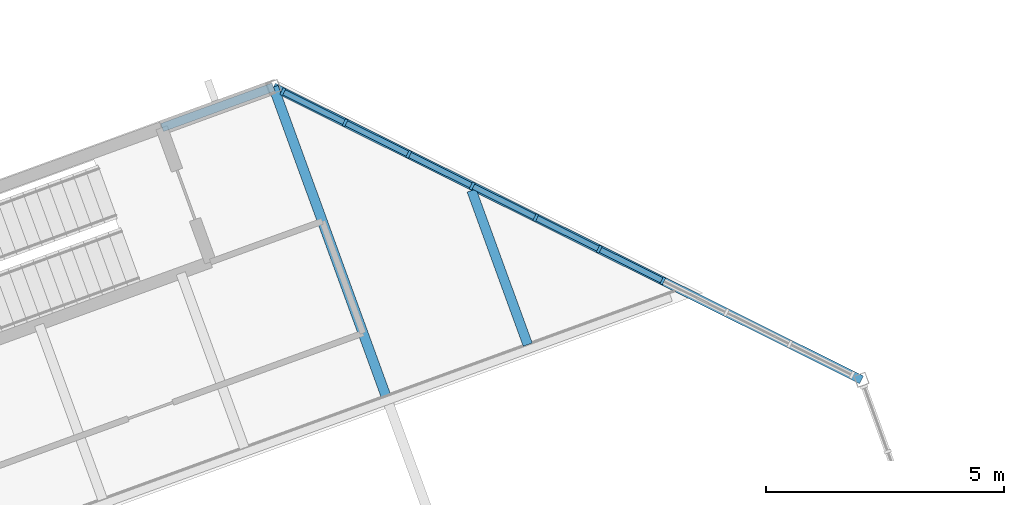
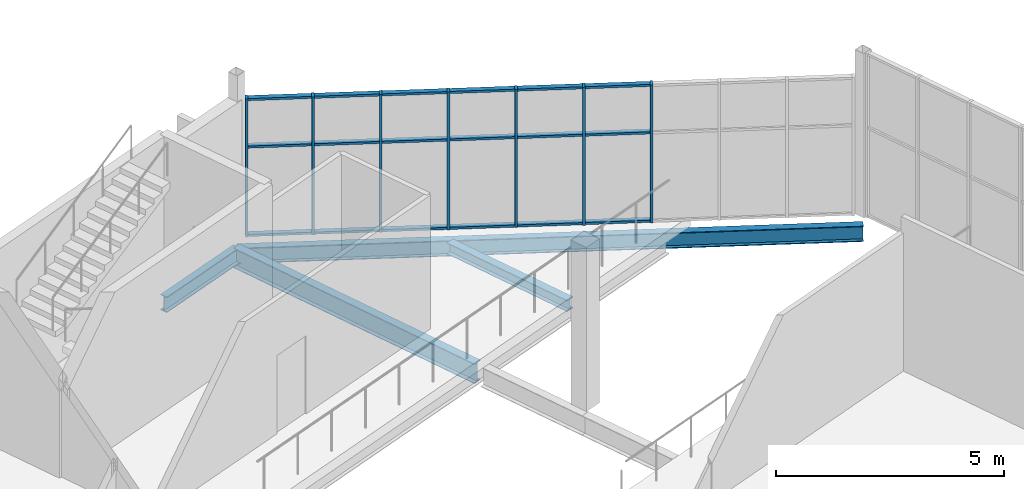
# One storey, part 33 of 115: 25 members, 4 beams, 1 element without a shape of its own.
"""IFC4 building model written with IfcOpenShell, lengths in metres."""

from ifc_helpers import new_model, si_unit, direction, frame, origin, origin_2d, place, context, subcontext, project, spatial, rectangle, i_section, extrude, material, layer, layer_set, material_profile, profile_set, type_object, element, aggregate, save


model = new_model("IFC4")

# Units and contexts
model_context = context("Model", 3, precision=1e-05, world=origin(), true_north=direction((0.0, 1.0)))
body_context = subcontext(model_context, "Body", "Model", "MODEL_VIEW")
ifc_project = project(units=[si_unit("LENGTHUNIT", "METRE"), si_unit("AREAUNIT", "SQUARE_METRE"), si_unit("VOLUMEUNIT", "CUBIC_METRE"), si_unit("PLANEANGLEUNIT", "RADIAN"), si_unit("MASSUNIT", "GRAM", prefix="KILO")], contexts=[model_context])

# Site, building, storey
site_placement = place(None, origin())
site = spatial("IfcSite", under=ifc_project, at=site_placement, CompositionType="ELEMENT")
building_placement = place(site_placement, origin())
building = spatial("IfcBuilding", under=site, at=building_placement, Name="Windward Yard Aquatics Centre", CompositionType="ELEMENT")
storey_placement = place(building_placement, frame((0.0, 0.0, 5.0)))
storey = spatial("IfcBuildingStorey", under=building, at=storey_placement, Name="L01", CompositionType="ELEMENT", Elevation=5.0)

# Beams
ifc_material_1 = material(Name="Steel S355", Category="steel")
ifc_material_profile_1 = material_profile(ifc_material_1, i_section(OverallWidth=0.202880859375, OverallDepth=0.302001953125, WebThickness=0.007568359375, FlangeThickness=0.01318359375, at=origin_2d()), Name="W310x60")
ifc_profile_set_1 = profile_set([ifc_material_profile_1], Name="Steel S355")
beam_type_1 = type_object("IfcBeamType", Name="F W310x60 joist", PredefinedType="JOIST", material=ifc_profile_set_1)
beam_1_placement = place(storey_placement, frame((36.845703125, 99.236328125, -0.430908203125), z_axis=(-0.342027569468, 0.939689917858, 0.0), x_axis=(-0.939689917858, -0.342027569468, 0.0)))
element("IfcBeam", 1, at=beam_1_placement, inside=storey, type_object=beam_type_1, Name="F.BM.L01.S14", PredefinedType="JOIST", context=body_context, shape_type="SweptSolid", body=[
    extrude(i_section(OverallWidth=0.202880859375, OverallDepth=0.302001953125, WebThickness=0.007568359375, FlangeThickness=0.01318359375, at=origin_2d()), origin(), (0.0, 0.0, 1.0), 3.44482421875),
])
ifc_material_profile_2 = material_profile(ifc_material_1, i_section(OverallWidth=0.180908203125, OverallDepth=0.4169921875, WebThickness=0.010986328125, FlangeThickness=0.018310546875, at=origin_2d()), Name="W410x85")
ifc_profile_set_2 = profile_set([ifc_material_profile_2], Name="Steel S355")
beam_type_2 = type_object("IfcBeamType", Name="F W410x85 beam", PredefinedType="BEAM", material=ifc_profile_set_2)
beam_2_placement = place(storey_placement, frame((43.854248046875, 98.498291015625, -0.488525390625), z_axis=(-0.895179941741, 0.445704915729, 0.0), x_axis=(-0.445704915729, -0.895179941741, 0.0)))
element("IfcBeam", 2, at=beam_2_placement, inside=storey, type_object=beam_type_2, Name="F.BM.L01.R06", PredefinedType="BEAM", context=body_context, shape_type="SweptSolid", body=[
    extrude(i_section(OverallWidth=0.180908203125, OverallDepth=0.4169921875, WebThickness=0.010986328125, FlangeThickness=0.018310546875, at=origin_2d()), origin(), (0.0, 0.0, 1.0), 13.793212890625),
])
beam_3_placement = place(storey_placement, frame((31.5068359375, 104.64599609375, -0.488525390625), z_axis=(-0.939701781882, -0.341994972371, 0.0), x_axis=(0.341994972371, -0.939701781882, 0.0)))
element("IfcBeam", 3, at=beam_3_placement, inside=storey, type_object=beam_type_2, Name="F.BM.L01.R07", PredefinedType="BEAM", context=body_context, shape_type="SweptSolid", body=[
    extrude(i_section(OverallWidth=0.180908203125, OverallDepth=0.4169921875, WebThickness=0.010986328125, FlangeThickness=0.018310546875, at=origin_2d()), origin(), (0.0, 0.0, 1.0), 2.489990234375),
])
ifc_material_profile_3 = material_profile(ifc_material_1, i_section(OverallWidth=0.208984375, OverallDepth=0.532958984375, WebThickness=0.01025390625, FlangeThickness=0.015625, at=origin_2d()), Name="W530x92")
ifc_profile_set_3 = profile_set([ifc_material_profile_3], Name="Steel S355")
beam_type_3 = type_object("IfcBeamType", Name="F W530x92 beam", PredefinedType="BEAM", material=ifc_profile_set_3)
beam_4_placement = place(storey_placement, frame((33.8701171875, 98.1533203125, -0.54638671875), z_axis=(-0.342038102338, 0.939686084046, 0.0), x_axis=(-0.939686084046, -0.342038102338, 0.0)))
element("IfcBeam", 4, at=beam_4_placement, inside=storey, type_object=beam_type_3, Name="F.BM.L01.P08", PredefinedType="BEAM", context=body_context, shape_type="SweptSolid", body=[
    extrude(i_section(OverallWidth=0.208984375, OverallDepth=0.532958984375, WebThickness=0.01025390625, FlangeThickness=0.015625, at=origin_2d()), origin(), (0.0, 0.0, 1.0), 6.909423828125),
])

# Curtain wall, members
ifc_material_2 = material(Name="Aluminium, anodised", Category="aluminium")
ifc_layer = layer(ifc_material_2, 0.14990234375)
ifc_layer_set = layer_set([ifc_layer], Name="F curtain wall 150 aluminium")
curtain_wall_type = type_object("IfcCurtainWallType", Name="F curtain wall 150 aluminium", PredefinedType="NOTDEFINED", material=ifc_layer_set)
curtain_wall_placement = place(storey_placement, origin())
curtain_wall = element("IfcCurtainWall", 5, at=curtain_wall_placement, inside=storey, type_object=curtain_wall_type, Name="Foyer glazing L01 2", PredefinedType="NOTDEFINED")
ifc_material_profile_4 = material_profile(ifc_material_2, rectangle(XDim=0.159912109375, YDim=0.06005859375, at=origin_2d()), Name="MULLION 60x160")
ifc_profile_set_4 = profile_set([ifc_material_profile_4], Name="Aluminium, anodised")
member_type_1 = type_object("IfcMemberType", Name="F mullion 60x160 aluminium", PredefinedType="MULLION", material=ifc_profile_set_4)
member_1_placement = place(storey_placement, frame((39.681640625, 100.575927734375, 0.0), z_axis=(0.0, 0.0, 1.0), x_axis=(-0.445706968105, -0.895178919872, 0.0)))
member_1 = element("IfcMember", 6, at=member_1_placement, type_object=member_type_1, Name="FCW2 mullion 4", PredefinedType="MULLION", context=body_context, shape_type="SweptSolid", body=[
    extrude(rectangle(XDim=0.159912109375, YDim=0.06005859375, at=origin_2d()), origin(), (0.0, 0.0, 1.0), 3.702880859375),
])
member_2_placement = place(storey_placement, frame((38.34765625, 101.240234375, 0.0), z_axis=(0.0, 0.0, 1.0), x_axis=(-0.445706968105, -0.895178919872, 0.0)))
member_2 = element("IfcMember", 7, at=member_2_placement, type_object=member_type_1, Name="FCW2 mullion 5", PredefinedType="MULLION", context=body_context, shape_type="SweptSolid", body=[
    extrude(rectangle(XDim=0.159912109375, YDim=0.06005859375, at=origin_2d()), origin(), (0.0, 0.0, 1.0), 3.702880859375),
])
member_3_placement = place(storey_placement, frame((37.013427734375, 101.904296875, 0.0), z_axis=(0.0, 0.0, 1.0), x_axis=(-0.445706968105, -0.895178919872, 0.0)))
member_3 = element("IfcMember", 8, at=member_3_placement, type_object=member_type_1, Name="FCW2 mullion 6", PredefinedType="MULLION", context=body_context, shape_type="SweptSolid", body=[
    extrude(rectangle(XDim=0.159912109375, YDim=0.06005859375, at=origin_2d()), origin(), (0.0, 0.0, 1.0), 3.702880859375),
])
member_4_placement = place(storey_placement, frame((35.679443359375, 102.568603515625, 0.0), z_axis=(0.0, 0.0, 1.0), x_axis=(-0.445706968105, -0.895178919872, 0.0)))
member_4 = element("IfcMember", 9, at=member_4_placement, type_object=member_type_1, Name="FCW2 mullion 7", PredefinedType="MULLION", context=body_context, shape_type="SweptSolid", body=[
    extrude(rectangle(XDim=0.159912109375, YDim=0.06005859375, at=origin_2d()), origin(), (0.0, 0.0, 1.0), 3.702880859375),
])
member_5_placement = place(storey_placement, frame((34.34521484375, 103.23291015625, 0.0), z_axis=(0.0, 0.0, 1.0), x_axis=(-0.445706968105, -0.895178919872, 0.0)))
member_5 = element("IfcMember", 10, at=member_5_placement, type_object=member_type_1, Name="FCW2 mullion 8", PredefinedType="MULLION", context=body_context, shape_type="SweptSolid", body=[
    extrude(rectangle(XDim=0.159912109375, YDim=0.06005859375, at=origin_2d()), origin(), (0.0, 0.0, 1.0), 3.702880859375),
])
member_6_placement = place(storey_placement, frame((33.01123046875, 103.897216796875, 0.0), z_axis=(0.0, 0.0, 1.0), x_axis=(-0.445706968105, -0.895178919872, 0.0)))
member_6 = element("IfcMember", 11, at=member_6_placement, type_object=member_type_1, Name="FCW2 mullion 9", PredefinedType="MULLION", context=body_context, shape_type="SweptSolid", body=[
    extrude(rectangle(XDim=0.159912109375, YDim=0.06005859375, at=origin_2d()), origin(), (0.0, 0.0, 1.0), 3.702880859375),
])
member_7_placement = place(storey_placement, frame((31.703857421875, 104.548095703125, 0.0), z_axis=(0.0, 0.0, 1.0), x_axis=(-0.445706968105, -0.895178919872, 0.0)))
member_7 = element("IfcMember", 12, at=member_7_placement, type_object=member_type_1, Name="FCW2 mullion 10", PredefinedType="MULLION", context=body_context, shape_type="SweptSolid", body=[
    extrude(rectangle(XDim=0.159912109375, YDim=0.06005859375, at=origin_2d()), origin(), (0.0, 0.0, 1.0), 3.702880859375),
])
ifc_material_profile_5 = material_profile(ifc_material_2, rectangle(XDim=0.1201171875, YDim=0.06005859375, at=origin_2d()), Name="TRANSOM 60x120")
ifc_profile_set_5 = profile_set([ifc_material_profile_5], Name="Aluminium, anodised")
member_type_2 = type_object("IfcMemberType", Name="F transom 60x120 aluminium", PredefinedType="USERDEFINED", material=ifc_profile_set_5)
member_8_placement = place(storey_placement, frame((39.65478515625, 100.58935546875, 0.030029296875), z_axis=(-0.895177031521, 0.445710760737, 0.0), x_axis=(-0.445710760737, -0.895177031521, 0.0)))
member_8 = element("IfcMember", 13, at=member_8_placement, type_object=member_type_2, Name="FCW2 transom 4.1", ObjectType="TRANSOM", PredefinedType="USERDEFINED", context=body_context, shape_type="SweptSolid", body=[
    extrude(rectangle(XDim=0.1201171875, YDim=0.06005859375, at=origin_2d()), origin(), (0.0, 0.0, 1.0), 1.43017578125),
])
member_9_placement = place(storey_placement, frame((39.65478515625, 100.58935546875, 2.39990234375), z_axis=(-0.895177031521, 0.445710760737, 0.0), x_axis=(-0.445710760737, -0.895177031521, 0.0)))
member_9 = element("IfcMember", 14, at=member_9_placement, type_object=member_type_2, Name="FCW2 transom 4.2", ObjectType="TRANSOM", PredefinedType="USERDEFINED", context=body_context, shape_type="SweptSolid", body=[
    extrude(rectangle(XDim=0.1201171875, YDim=0.06005859375, at=origin_2d()), origin(), (0.0, 0.0, 1.0), 1.43017578125),
])
member_10_placement = place(storey_placement, frame((39.65478515625, 100.58935546875, 3.673095703125), z_axis=(-0.895177031521, 0.445710760737, 0.0), x_axis=(-0.445710760737, -0.895177031521, 0.0)))
member_10 = element("IfcMember", 15, at=member_10_placement, type_object=member_type_2, Name="FCW2 transom 4.3", ObjectType="TRANSOM", PredefinedType="USERDEFINED", context=body_context, shape_type="SweptSolid", body=[
    extrude(rectangle(XDim=0.1201171875, YDim=0.06005859375, at=origin_2d()), origin(), (0.0, 0.0, 1.0), 1.43017578125),
])
member_11_placement = place(storey_placement, frame((38.32080078125, 101.25341796875, 0.030029296875), z_axis=(-0.895142839047, 0.445779427186, 0.0), x_axis=(-0.445779427186, -0.895142839047, 0.0)))
member_11 = element("IfcMember", 16, at=member_11_placement, type_object=member_type_2, Name="FCW2 transom 5.1", ObjectType="TRANSOM", PredefinedType="USERDEFINED", context=body_context, shape_type="SweptSolid", body=[
    extrude(rectangle(XDim=0.1201171875, YDim=0.06005859375, at=origin_2d()), origin(), (0.0, 0.0, 1.0), 1.430419921875),
])
member_12_placement = place(storey_placement, frame((38.32080078125, 101.25341796875, 2.39990234375), z_axis=(-0.895142839047, 0.445779427186, 0.0), x_axis=(-0.445779427186, -0.895142839047, 0.0)))
member_12 = element("IfcMember", 17, at=member_12_placement, type_object=member_type_2, Name="FCW2 transom 5.2", ObjectType="TRANSOM", PredefinedType="USERDEFINED", context=body_context, shape_type="SweptSolid", body=[
    extrude(rectangle(XDim=0.1201171875, YDim=0.06005859375, at=origin_2d()), origin(), (0.0, 0.0, 1.0), 1.430419921875),
])
member_13_placement = place(storey_placement, frame((38.32080078125, 101.25341796875, 3.673095703125), z_axis=(-0.895142839047, 0.445779427186, 0.0), x_axis=(-0.445779427186, -0.895142839047, 0.0)))
member_13 = element("IfcMember", 18, at=member_13_placement, type_object=member_type_2, Name="FCW2 transom 5.3", ObjectType="TRANSOM", PredefinedType="USERDEFINED", context=body_context, shape_type="SweptSolid", body=[
    extrude(rectangle(XDim=0.1201171875, YDim=0.06005859375, at=origin_2d()), origin(), (0.0, 0.0, 1.0), 1.430419921875),
])
member_14_placement = place(storey_placement, frame((36.986572265625, 101.917724609375, 0.030029296875), z_axis=(-0.895177031521, 0.445710760737, 0.0), x_axis=(-0.445710760737, -0.895177031521, 0.0)))
member_14 = element("IfcMember", 19, at=member_14_placement, type_object=member_type_2, Name="FCW2 transom 6.1", ObjectType="TRANSOM", PredefinedType="USERDEFINED", context=body_context, shape_type="SweptSolid", body=[
    extrude(rectangle(XDim=0.1201171875, YDim=0.06005859375, at=origin_2d()), origin(), (0.0, 0.0, 1.0), 1.43017578125),
])
member_15_placement = place(storey_placement, frame((36.986572265625, 101.917724609375, 2.39990234375), z_axis=(-0.895177031521, 0.445710760737, 0.0), x_axis=(-0.445710760737, -0.895177031521, 0.0)))
member_15 = element("IfcMember", 20, at=member_15_placement, type_object=member_type_2, Name="FCW2 transom 6.2", ObjectType="TRANSOM", PredefinedType="USERDEFINED", context=body_context, shape_type="SweptSolid", body=[
    extrude(rectangle(XDim=0.1201171875, YDim=0.06005859375, at=origin_2d()), origin(), (0.0, 0.0, 1.0), 1.43017578125),
])
member_16_placement = place(storey_placement, frame((36.986572265625, 101.917724609375, 3.673095703125), z_axis=(-0.895177031521, 0.445710760737, 0.0), x_axis=(-0.445710760737, -0.895177031521, 0.0)))
member_16 = element("IfcMember", 21, at=member_16_placement, type_object=member_type_2, Name="FCW2 transom 6.3", ObjectType="TRANSOM", PredefinedType="USERDEFINED", context=body_context, shape_type="SweptSolid", body=[
    extrude(rectangle(XDim=0.1201171875, YDim=0.06005859375, at=origin_2d()), origin(), (0.0, 0.0, 1.0), 1.43017578125),
])
member_17_placement = place(storey_placement, frame((35.652587890625, 102.58203125, 0.030029296875), z_axis=(-0.895210935678, 0.445642660258, 0.0), x_axis=(-0.445642660258, -0.895210935678, 0.0)))
member_17 = element("IfcMember", 22, at=member_17_placement, type_object=member_type_2, Name="FCW2 transom 7.1", ObjectType="TRANSOM", PredefinedType="USERDEFINED", context=body_context, shape_type="SweptSolid", body=[
    extrude(rectangle(XDim=0.1201171875, YDim=0.06005859375, at=origin_2d()), origin(), (0.0, 0.0, 1.0), 1.430419921875),
])
member_18_placement = place(storey_placement, frame((35.652587890625, 102.58203125, 2.39990234375), z_axis=(-0.895210935678, 0.445642660258, 0.0), x_axis=(-0.445642660258, -0.895210935678, 0.0)))
member_18 = element("IfcMember", 23, at=member_18_placement, type_object=member_type_2, Name="FCW2 transom 7.2", ObjectType="TRANSOM", PredefinedType="USERDEFINED", context=body_context, shape_type="SweptSolid", body=[
    extrude(rectangle(XDim=0.1201171875, YDim=0.06005859375, at=origin_2d()), origin(), (0.0, 0.0, 1.0), 1.430419921875),
])
member_19_placement = place(storey_placement, frame((35.652587890625, 102.58203125, 3.673095703125), z_axis=(-0.895210935678, 0.445642660258, 0.0), x_axis=(-0.445642660258, -0.895210935678, 0.0)))
member_19 = element("IfcMember", 24, at=member_19_placement, type_object=member_type_2, Name="FCW2 transom 7.3", ObjectType="TRANSOM", PredefinedType="USERDEFINED", context=body_context, shape_type="SweptSolid", body=[
    extrude(rectangle(XDim=0.1201171875, YDim=0.06005859375, at=origin_2d()), origin(), (0.0, 0.0, 1.0), 1.430419921875),
])
member_20_placement = place(storey_placement, frame((34.318359375, 103.246337890625, 0.030029296875), z_axis=(-0.895177031521, 0.445710760737, 0.0), x_axis=(-0.445710760737, -0.895177031521, 0.0)))
member_20 = element("IfcMember", 25, at=member_20_placement, type_object=member_type_2, Name="FCW2 transom 8.1", ObjectType="TRANSOM", PredefinedType="USERDEFINED", context=body_context, shape_type="SweptSolid", body=[
    extrude(rectangle(XDim=0.1201171875, YDim=0.06005859375, at=origin_2d()), origin(), (0.0, 0.0, 1.0), 1.43017578125),
])
member_21_placement = place(storey_placement, frame((34.318359375, 103.246337890625, 2.39990234375), z_axis=(-0.895177031521, 0.445710760737, 0.0), x_axis=(-0.445710760737, -0.895177031521, 0.0)))
member_21 = element("IfcMember", 26, at=member_21_placement, type_object=member_type_2, Name="FCW2 transom 8.2", ObjectType="TRANSOM", PredefinedType="USERDEFINED", context=body_context, shape_type="SweptSolid", body=[
    extrude(rectangle(XDim=0.1201171875, YDim=0.06005859375, at=origin_2d()), origin(), (0.0, 0.0, 1.0), 1.43017578125),
])
member_22_placement = place(storey_placement, frame((34.318359375, 103.246337890625, 3.673095703125), z_axis=(-0.895177031521, 0.445710760737, 0.0), x_axis=(-0.445710760737, -0.895177031521, 0.0)))
member_22 = element("IfcMember", 27, at=member_22_placement, type_object=member_type_2, Name="FCW2 transom 8.3", ObjectType="TRANSOM", PredefinedType="USERDEFINED", context=body_context, shape_type="SweptSolid", body=[
    extrude(rectangle(XDim=0.1201171875, YDim=0.06005859375, at=origin_2d()), origin(), (0.0, 0.0, 1.0), 1.43017578125),
])
member_23_placement = place(storey_placement, frame((32.984375, 103.910400390625, 0.030029296875), z_axis=(-0.895158156734, 0.445748667336, 0.0), x_axis=(-0.445748667336, -0.895158156734, 0.0)))
member_23 = element("IfcMember", 28, at=member_23_placement, type_object=member_type_2, Name="FCW2 transom 9.1", ObjectType="TRANSOM", PredefinedType="USERDEFINED", context=body_context, shape_type="SweptSolid", body=[
    extrude(rectangle(XDim=0.1201171875, YDim=0.06005859375, at=origin_2d()), origin(), (0.0, 0.0, 1.0), 1.400390625),
])
member_24_placement = place(storey_placement, frame((32.984375, 103.910400390625, 2.39990234375), z_axis=(-0.895158156734, 0.445748667336, 0.0), x_axis=(-0.445748667336, -0.895158156734, 0.0)))
member_24 = element("IfcMember", 29, at=member_24_placement, type_object=member_type_2, Name="FCW2 transom 9.2", ObjectType="TRANSOM", PredefinedType="USERDEFINED", context=body_context, shape_type="SweptSolid", body=[
    extrude(rectangle(XDim=0.1201171875, YDim=0.06005859375, at=origin_2d()), origin(), (0.0, 0.0, 1.0), 1.400390625),
])
member_25_placement = place(storey_placement, frame((32.984375, 103.910400390625, 3.673095703125), z_axis=(-0.895158156734, 0.445748667336, 0.0), x_axis=(-0.445748667336, -0.895158156734, 0.0)))
member_25 = element("IfcMember", 30, at=member_25_placement, type_object=member_type_2, Name="FCW2 transom 9.3", ObjectType="TRANSOM", PredefinedType="USERDEFINED", context=body_context, shape_type="SweptSolid", body=[
    extrude(rectangle(XDim=0.1201171875, YDim=0.06005859375, at=origin_2d()), origin(), (0.0, 0.0, 1.0), 1.400390625),
])
aggregate(curtain_wall, [member_1, member_2, member_3, member_4, member_5, member_6, member_7, member_8, member_9, member_10, member_11, member_12, member_13, member_14, member_15, member_16, member_17, member_18, member_19, member_20, member_21, member_22, member_23, member_24, member_25])

save(model, "model.ifc")
